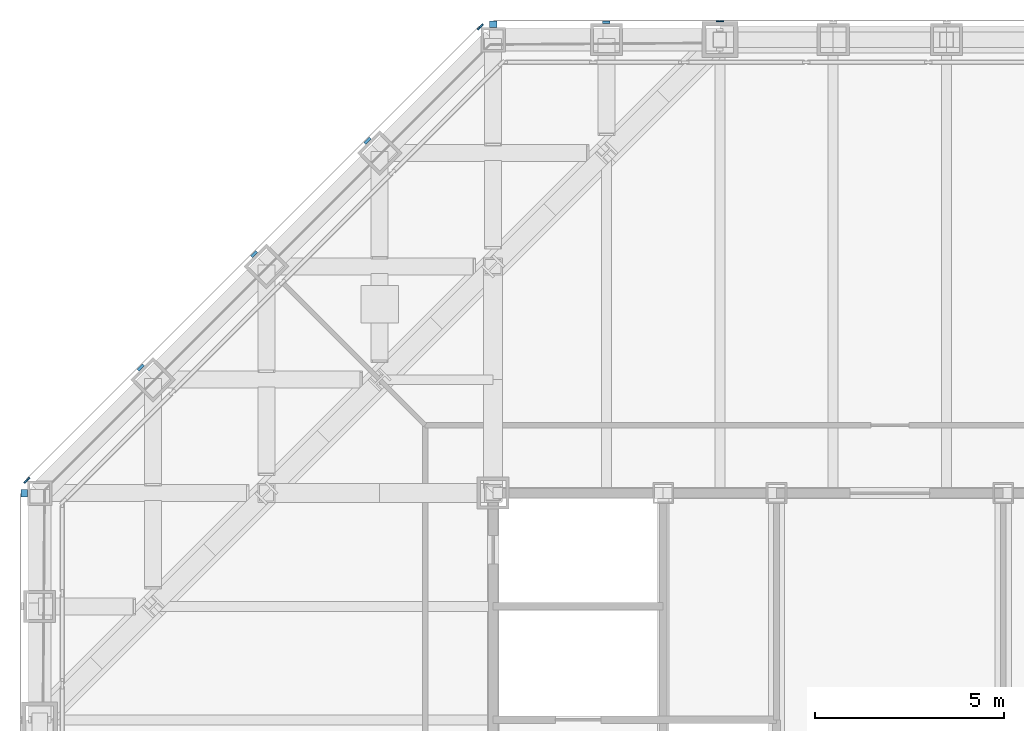
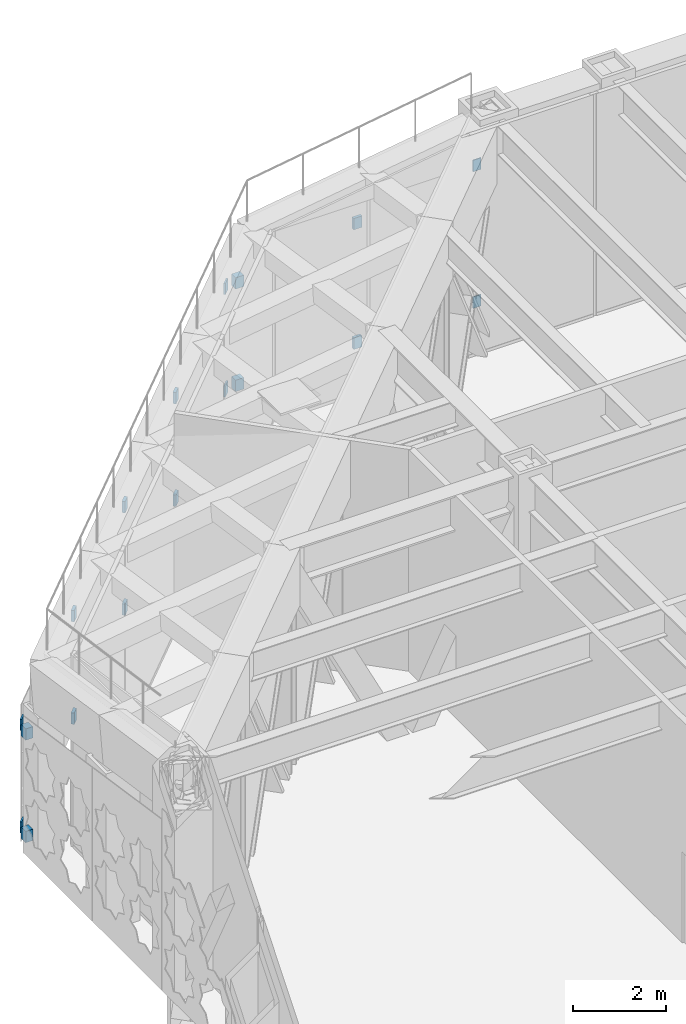
# One storey, part 18 of 29: 18 discrete accessories.
"""IFC4 building model written with IfcOpenShell, lengths in metres."""

from ifc_helpers import new_model, si_unit, direction, frame, origin, origin_2d, place, context, subcontext, project, spatial, rectangle, extrude, material, type_object, element, save


model = new_model("IFC4")

# Units and contexts
model_context = context("Model", 3, precision=1e-05, world=origin(), true_north=direction((0.0, 1.0)))
body_context = subcontext(model_context, "Body", "Model", "MODEL_VIEW")
ifc_project = project(units=[si_unit("LENGTHUNIT", "METRE"), si_unit("AREAUNIT", "SQUARE_METRE"), si_unit("VOLUMEUNIT", "CUBIC_METRE"), si_unit("PLANEANGLEUNIT", "RADIAN"), si_unit("MASSUNIT", "GRAM", prefix="KILO")], contexts=[model_context])

# Site, building, storey
site_placement = place(None, origin())
site = spatial("IfcSite", under=ifc_project, at=site_placement, CompositionType="ELEMENT")
building_placement = place(site_placement, origin())
building = spatial("IfcBuilding", under=site, at=building_placement, Name="Chuquiago Exchange Tower", CompositionType="ELEMENT")
storey_placement = place(building_placement, frame((0.0, 0.0, 251.699951171875)))
storey = spatial("IfcBuildingStorey", under=building, at=storey_placement, Name="L56", CompositionType="ELEMENT", Elevation=251.699951171875)

# Discrete accessories
ifc_material_1 = material(Name="Stainless steel plate bracket", Category="steel")
discrete_accessory_type_1 = type_object("IfcDiscreteAccessoryType", Name="GB3 cladding bracket 175", PredefinedType="BRACKET", material=ifc_material_1)
for number, where, z_axis, x_axis, name in (
    (1, (12.0, 45.41259765625, 0.35009765625), (0.0, 0.0, 1.0), (-1.0, 0.0, 0.0), "Cladding bracket L56 N"),
    (2, (12.0, 45.41259765625, 3.048828125), (0.0, 0.0, 1.0), (-1.0, 0.0, 0.0), "Cladding bracket L56 N"),
    (3, (-0.41259765625, 33.0, 0.35009765625), (0.0, 0.0, 1.0), (0.0, -1.0, 0.0), "Cladding bracket L56 W"),
    (4, (-0.41259765625, 33.0, 3.048828125), (0.0, 0.0, 1.0), (0.0, -1.0, 0.0), "Cladding bracket L56 W"),
):
    element("IfcDiscreteAccessory", number, at=place(storey_placement, frame(where, z_axis=z_axis, x_axis=x_axis)), inside=storey, type_object=discrete_accessory_type_1, Name=name, PredefinedType="BRACKET", context=body_context, shape_type="SweptSolid", body=[
        extrude(rectangle(XDim=0.199951171875, YDim=0.175048828125, at=origin_2d()), origin(), (0.0, 0.0, 1.0), 0.300048828125),
    ])
ifc_material_2 = material(Name="Stainless steel plate bracket", Category="steel")
discrete_accessory_type_2 = type_object("IfcDiscreteAccessoryType", Name="GB4 cladding bracket 75", PredefinedType="BRACKET", material=ifc_material_2)
for number, where, z_axis, x_axis, name in (
    (5, (15.0, 45.46240234375, 0.35009765625), (0.0, 0.0, 1.0), (-1.0, 0.0, 0.0), "Cladding bracket L56 N"),
    (6, (15.0, 45.46240234375, 3.49853515625), (0.0, 0.0, 1.0), (-1.0, 0.0, 0.0), "Cladding bracket L56 N"),
    (7, (8.673095703125, 42.3271484375, 0.35009765625), (0.0, 0.0, 1.0), (-0.707106781187, -0.707106781187, 0.0), "Cladding bracket L56 NW"),
    (8, (8.673095703125, 42.3271484375, 3.04833984375), (0.0, 0.0, 1.0), (-0.707106781187, -0.707106781187, 0.0), "Cladding bracket L56 NW"),
    (9, (5.6728515625, 39.326904296875, 0.35009765625), (0.0, 0.0, 1.0), (-0.707106781187, -0.707106781187, 0.0), "Cladding bracket L56 NW"),
    (10, (5.6728515625, 39.326904296875, 3.04833984375), (0.0, 0.0, 1.0), (-0.707106781187, -0.707106781187, 0.0), "Cladding bracket L56 NW"),
    (11, (2.673095703125, 36.3271484375, 0.35009765625), (0.0, 0.0, 1.0), (-0.707106781187, -0.707106781187, 0.0), "Cladding bracket L56 NW"),
    (12, (2.673095703125, 36.3271484375, 3.04833984375), (0.0, 0.0, 1.0), (-0.707106781187, -0.707106781187, 0.0), "Cladding bracket L56 NW"),
):
    element("IfcDiscreteAccessory", number, at=place(storey_placement, frame(where, z_axis=z_axis, x_axis=x_axis)), inside=storey, type_object=discrete_accessory_type_2, Name=name, PredefinedType="BRACKET", context=body_context, shape_type="SweptSolid", body=[
        extrude(rectangle(XDim=0.199951171875, YDim=0.074951171875, at=origin_2d()), origin(), (0.0, 0.0, 1.0), 0.300048828125),
    ])
ifc_material_3 = material(Name="Stainless steel plate bracket", Category="steel")
discrete_accessory_type_3 = type_object("IfcDiscreteAccessoryType", Name="GB5 cladding bracket 40", PredefinedType="BRACKET", material=ifc_material_3)
for number, where, z_axis, x_axis, name in (
    (13, (11.66064453125, 45.33935546875, 0.35009765625), (0.0, 0.0, 1.0), (-0.707106781187, -0.707106781187, 0.0), "Cladding bracket L56 NW"),
    (14, (11.66064453125, 45.33935546875, 3.04833984375), (0.0, 0.0, 1.0), (-0.707106781187, -0.707106781187, 0.0), "Cladding bracket L56 NW"),
    (15, (-0.33935546875, 33.339111328125, 0.35009765625), (0.0, 0.0, 1.0), (-0.707106781187, -0.707106781187, 0.0), "Cladding bracket L56 NW"),
    (16, (-0.33935546875, 33.339111328125, 3.04833984375), (0.0, 0.0, 1.0), (-0.707106781187, -0.707106781187, 0.0), "Cladding bracket L56 NW"),
):
    element("IfcDiscreteAccessory", number, at=place(storey_placement, frame(where, z_axis=z_axis, x_axis=x_axis)), inside=storey, type_object=discrete_accessory_type_3, Name=name, PredefinedType="BRACKET", context=body_context, shape_type="SweptSolid", body=[
        extrude(rectangle(XDim=0.199951171875, YDim=0.040283203125, at=origin_2d()), origin(), (0.0, 0.0, 1.0), 0.300048828125),
    ])
ifc_material_4 = material(Name="Stainless steel plate bracket", Category="steel")
discrete_accessory_type_4 = type_object("IfcDiscreteAccessoryType", Name="GB7 cladding bracket 25", PredefinedType="BRACKET", material=ifc_material_4)
for number, where, z_axis, x_axis, name in (
    (17, (18.0, 45.487548828125, 0.35009765625), (0.0, 0.0, 1.0), (-1.0, 0.0, 0.0), "Cladding bracket L56 N"),
    (18, (18.0, 45.487548828125, 3.94921875), (0.0, 0.0, 1.0), (-1.0, 0.0, 0.0), "Cladding bracket L56 N"),
):
    element("IfcDiscreteAccessory", number, at=place(storey_placement, frame(where, z_axis=z_axis, x_axis=x_axis)), inside=storey, type_object=discrete_accessory_type_4, Name=name, PredefinedType="BRACKET", context=body_context, shape_type="SweptSolid", body=[
        extrude(rectangle(XDim=0.199951171875, YDim=0.02490234375, at=origin_2d()), origin(), (0.0, 0.0, 1.0), 0.300048828125),
    ])

save(model, "model.ifc")
